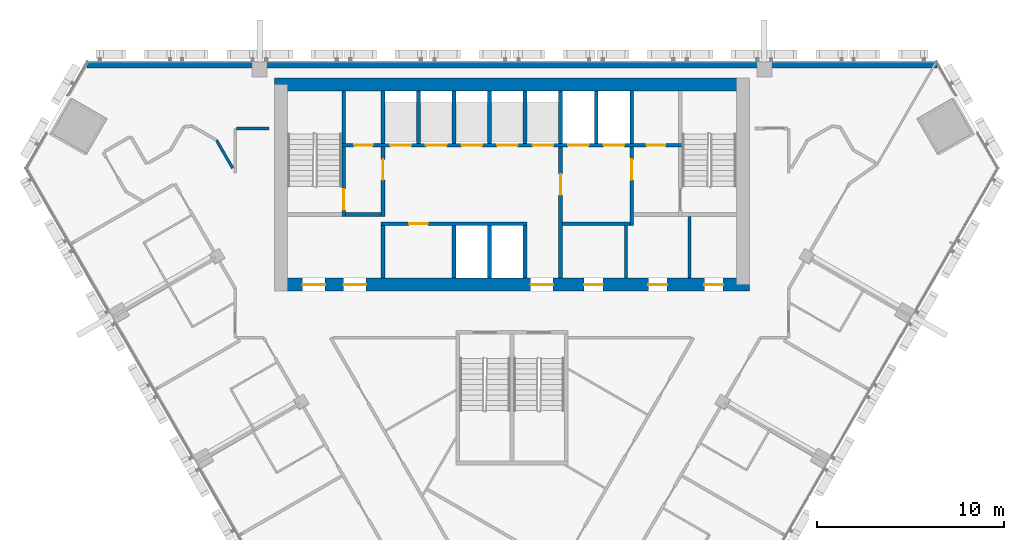
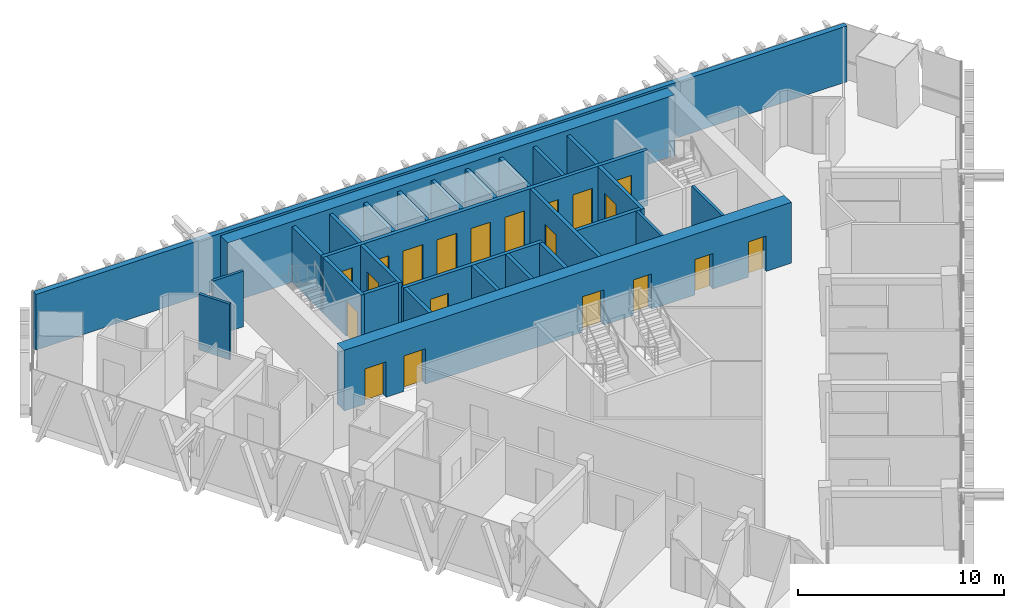
# One storey, part 10 of 15: 28 walls, 20 doors, 20 openings.
"""IFC4 building model written with IfcOpenShell, lengths in metres."""

from ifc_helpers import new_model, si_unit, direction, frame, frame_2d, origin, place, context, subcontext, project, spatial, rectangle, extrude, material, layer, layer_set, type_object, element, fill, save


model = new_model("IFC4")

# Units and contexts
model_context = context("Model", 3, precision=1e-05, world=origin(), true_north=direction((0.0, 1.0)))
body_context = subcontext(model_context, "Body", "Model", "MODEL_VIEW")
ifc_project = project(units=[si_unit("LENGTHUNIT", "METRE"), si_unit("AREAUNIT", "SQUARE_METRE"), si_unit("VOLUMEUNIT", "CUBIC_METRE"), si_unit("PLANEANGLEUNIT", "RADIAN"), si_unit("MASSUNIT", "GRAM", prefix="KILO")], contexts=[model_context])

# Site, building, storey
site_placement = place(None, origin())
site = spatial("IfcSite", under=ifc_project, at=site_placement, CompositionType="ELEMENT")
building_placement = place(site_placement, origin())
building = spatial("IfcBuilding", under=site, at=building_placement, Name="Altiplano Prism Tower", CompositionType="ELEMENT")
storey_placement = place(building_placement, frame((0.0, 0.0, 185.39990234375)))
storey = spatial("IfcBuildingStorey", under=building, at=storey_placement, Name="L48", CompositionType="ELEMENT", Elevation=185.39990234375)

# Wall, openings, doors
ifc_material_1 = material(Name="Concrete C60/75", Category="concrete")
ifc_layer_1 = layer(ifc_material_1, 0.699951171875)
ifc_layer_set_1 = layer_set([ifc_layer_1], Name="Concrete C60/75")
wall_type_1 = type_object("IfcWallType", Name="Core wall 700", PredefinedType="SHEAR", material=ifc_layer_set_1)
wall_1_placement = place(storey_placement, frame((72.64990234375, 93.050048828125, 0.0), z_axis=(0.0, 0.0, 1.0), x_axis=(1.0, 0.0, 0.0)))
wall_1 = element("IfcWall", 1, at=wall_1_placement, inside=storey, type_object=wall_type_1, Name="Core wall S L48", PredefinedType="SHEAR", context=body_context, shape_type="SweptSolid", body=[
    extrude(rectangle(XDim=25.050048828125, YDim=0.699951171875, at=frame_2d((12.52490234375, 0.0))), origin(), (0.0, 0.0, 1.0), 3.60009765625),
])
opening_1_placement = place(wall_1_placement, frame((1.14990234375, 0.0, 0.0)))
opening_1 = element("IfcOpeningElement", 2, at=opening_1_placement, cuts=wall_1, Name="Opening D3246", PredefinedType="OPENING", context=body_context, shape_type="SweptSolid", body=[
    extrude(rectangle(XDim=1.199951171875, YDim=2.10009765625, at=frame_2d((0.60009765625, 1.050048828125))), frame((0.0, 0.3603515625, 0.0), z_axis=(0.0, -1.0, 0.0), x_axis=(1.0, 0.0, 0.0)), (0.0, 0.0, 1.0), 0.720947265625),
])
opening_2_placement = place(wall_1_placement, frame((3.35009765625, 0.0, 0.0)))
opening_2 = element("IfcOpeningElement", 3, at=opening_2_placement, cuts=wall_1, Name="Opening D3247", PredefinedType="OPENING", context=body_context, shape_type="SweptSolid", body=[
    extrude(rectangle(XDim=1.199951171875, YDim=2.10009765625, at=frame_2d((0.60009765625, 1.050048828125))), frame((0.0, 0.3603515625, 0.0), z_axis=(0.0, -1.0, 0.0), x_axis=(1.0, 0.0, 0.0)), (0.0, 0.0, 1.0), 0.720947265625),
])
opening_3_placement = place(wall_1_placement, frame((13.35009765625, 0.0, 0.0)))
opening_3 = element("IfcOpeningElement", 4, at=opening_3_placement, cuts=wall_1, Name="Opening D3248", PredefinedType="OPENING", context=body_context, shape_type="SweptSolid", body=[
    extrude(rectangle(XDim=1.199951171875, YDim=2.10009765625, at=frame_2d((0.60009765625, 1.050048828125))), frame((0.0, 0.3603515625, 0.0), z_axis=(0.0, -1.0, 0.0), x_axis=(1.0, 0.0, 0.0)), (0.0, 0.0, 1.0), 0.720947265625),
])
opening_4_placement = place(wall_1_placement, frame((16.21240234375, 0.0, 0.0)))
opening_4 = element("IfcOpeningElement", 5, at=opening_4_placement, cuts=wall_1, Name="Opening D3251", PredefinedType="OPENING", context=body_context, shape_type="SweptSolid", body=[
    extrude(rectangle(XDim=1.0, YDim=2.10009765625, at=frame_2d((0.5, 1.050048828125))), frame((0.0, 0.3603515625, 0.0), z_axis=(0.0, -1.0, 0.0), x_axis=(1.0, 0.0, 0.0)), (0.0, 0.0, 1.0), 0.720947265625),
])
opening_5_placement = place(wall_1_placement, frame((19.64990234375, 0.0, 0.0)))
opening_5 = element("IfcOpeningElement", 6, at=opening_5_placement, cuts=wall_1, Name="Opening D3252", PredefinedType="OPENING", context=body_context, shape_type="SweptSolid", body=[
    extrude(rectangle(XDim=1.0, YDim=2.10009765625, at=frame_2d((0.5, 1.050048828125))), frame((0.0, 0.3603515625, 0.0), z_axis=(0.0, -1.0, 0.0), x_axis=(1.0, 0.0, 0.0)), (0.0, 0.0, 1.0), 0.720947265625),
])
opening_6_placement = place(wall_1_placement, frame((22.637451171875, 0.0, 0.0)))
opening_6 = element("IfcOpeningElement", 7, at=opening_6_placement, cuts=wall_1, Name="Opening D3253", PredefinedType="OPENING", context=body_context, shape_type="SweptSolid", body=[
    extrude(rectangle(XDim=1.0, YDim=2.10009765625, at=frame_2d((0.5, 1.050048828125))), frame((0.0, 0.3603515625, 0.0), z_axis=(0.0, -1.0, 0.0), x_axis=(1.0, 0.0, 0.0)), (0.0, 0.0, 1.0), 0.720947265625),
])
ifc_material_2 = material(Name="Fire-rated steel door", Category="steel")
door_type_1 = type_object("IfcDoorType", Name="Core room door 1000 x 2100", OperationType="NOTDEFINED", PredefinedType="NOTDEFINED", material=ifc_material_2)
door_1_placement = place(opening_4_placement, origin())
door_1 = element("IfcDoor", 8, at=door_1_placement, inside=storey, type_object=door_type_1, Name="Core room door D3251", OperationType="SINGLE_SWING_RIGHT", OverallHeight=2.10009765625, OverallWidth=1.0, PredefinedType="NOTDEFINED", context=body_context, shape_type="SweptSolid", body=[
    extrude(rectangle(XDim=1.0, YDim=2.10009765625, at=frame_2d((0.5, 1.050048828125))), frame((0.0, 0.02490234375, 0.0), z_axis=(0.0, -1.0, 0.0), x_axis=(1.0, 0.0, 0.0)), (0.0, 0.0, 1.0), 0.050048828125),
])
fill(opening_4, door_1)
door_2_placement = place(opening_5_placement, origin())
door_2 = element("IfcDoor", 9, at=door_2_placement, inside=storey, type_object=door_type_1, Name="Core room door D3252", OperationType="SINGLE_SWING_LEFT", OverallHeight=2.10009765625, OverallWidth=1.0, PredefinedType="NOTDEFINED", context=body_context, shape_type="SweptSolid", body=[
    extrude(rectangle(XDim=1.0, YDim=2.10009765625, at=frame_2d((0.5, 1.050048828125))), frame((0.0, 0.02490234375, 0.0), z_axis=(0.0, -1.0, 0.0), x_axis=(1.0, 0.0, 0.0)), (0.0, 0.0, 1.0), 0.050048828125),
])
fill(opening_5, door_2)
door_3_placement = place(opening_6_placement, origin())
door_3 = element("IfcDoor", 10, at=door_3_placement, inside=storey, type_object=door_type_1, Name="Core room door D3253", OperationType="SINGLE_SWING_RIGHT", OverallHeight=2.10009765625, OverallWidth=1.0, PredefinedType="NOTDEFINED", context=body_context, shape_type="SweptSolid", body=[
    extrude(rectangle(XDim=1.0, YDim=2.10009765625, at=frame_2d((0.5, 1.050048828125))), frame((0.0, 0.02490234375, 0.0), z_axis=(0.0, -1.0, 0.0), x_axis=(1.0, 0.0, 0.0)), (0.0, 0.0, 1.0), 0.050048828125),
])
fill(opening_6, door_3)
door_type_2 = type_object("IfcDoorType", Name="Lobby fire door 1200 x 2100", OperationType="NOTDEFINED", PredefinedType="NOTDEFINED", material=ifc_material_2)
door_4_placement = place(opening_1_placement, origin())
door_4 = element("IfcDoor", 11, at=door_4_placement, inside=storey, type_object=door_type_2, Name="Lobby fire door D3246", OperationType="SINGLE_SWING_RIGHT", OverallHeight=2.10009765625, OverallWidth=1.199951171875, PredefinedType="NOTDEFINED", context=body_context, shape_type="SweptSolid", body=[
    extrude(rectangle(XDim=1.199951171875, YDim=2.10009765625, at=frame_2d((0.60009765625, 1.050048828125))), frame((0.0, 0.02490234375, 0.0), z_axis=(0.0, -1.0, 0.0), x_axis=(1.0, 0.0, 0.0)), (0.0, 0.0, 1.0), 0.050048828125),
])
fill(opening_1, door_4)
door_5_placement = place(opening_2_placement, origin())
door_5 = element("IfcDoor", 12, at=door_5_placement, inside=storey, type_object=door_type_2, Name="Lobby fire door D3247", OperationType="SINGLE_SWING_LEFT", OverallHeight=2.10009765625, OverallWidth=1.199951171875, PredefinedType="NOTDEFINED", context=body_context, shape_type="SweptSolid", body=[
    extrude(rectangle(XDim=1.199951171875, YDim=2.10009765625, at=frame_2d((0.60009765625, 1.050048828125))), frame((0.0, 0.02490234375, 0.0), z_axis=(0.0, -1.0, 0.0), x_axis=(1.0, 0.0, 0.0)), (0.0, 0.0, 1.0), 0.050048828125),
])
fill(opening_2, door_5)
door_6_placement = place(opening_3_placement, origin())
door_6 = element("IfcDoor", 13, at=door_6_placement, inside=storey, type_object=door_type_2, Name="Lobby fire door D3248", OperationType="SINGLE_SWING_RIGHT", OverallHeight=2.10009765625, OverallWidth=1.199951171875, PredefinedType="NOTDEFINED", context=body_context, shape_type="SweptSolid", body=[
    extrude(rectangle(XDim=1.199951171875, YDim=2.10009765625, at=frame_2d((0.60009765625, 1.050048828125))), frame((0.0, 0.02490234375, 0.0), z_axis=(0.0, -1.0, 0.0), x_axis=(1.0, 0.0, 0.0)), (0.0, 0.0, 1.0), 0.050048828125),
])
fill(opening_3, door_6)

# Walls
wall_2_placement = place(storey_placement, frame((97.35009765625, 103.75, 0.0), z_axis=(0.0, 0.0, 1.0), x_axis=(-1.0, 0.0, 0.0)))
element("IfcWall", 14, at=wall_2_placement, inside=storey, type_object=wall_type_1, Name="Core wall N L48", PredefinedType="SHEAR", context=body_context, shape_type="SweptSolid", body=[
    extrude(rectangle(XDim=25.050048828125, YDim=0.699951171875, at=frame_2d((12.52490234375, 0.0))), origin(), (0.0, 0.0, 1.0), 3.60009765625),
])
ifc_material_3 = material(Name="Plasterboard on steel stud", Category="steel")
ifc_layer_2 = layer(ifc_material_3, 0.14990234375)
ifc_layer_set_2 = layer_set([ifc_layer_2], Name="Plasterboard on steel stud")
wall_type_2 = type_object("IfcWallType", Name="Partition 150 corridor", PredefinedType="PARTITIONING", material=ifc_layer_set_2)
wall_3_placement = place(storey_placement, frame((72.0, 101.39990234375, 0.0), z_axis=(0.0, 0.0, 1.0), x_axis=(-1.0, 0.0, 0.0)))
element("IfcWall", 15, at=wall_3_placement, inside=storey, type_object=wall_type_2, Name="Partition P06 L48 022", PredefinedType="PARTITIONING", context=body_context, shape_type="SweptSolid", body=[
    extrude(rectangle(XDim=1.72509765625, YDim=0.14990234375, at=frame_2d((0.862548828125, 0.0))), origin(), (0.0, 0.0, 1.0), 3.300048828125),
])
wall_4_placement = place(storey_placement, frame((70.06005859375, 99.268798828125, 0.0), z_axis=(0.0, 0.0, 1.0), x_axis=(-0.500063959222, 0.865988473761, 0.0)))
element("IfcWall", 16, at=wall_4_placement, inside=storey, type_object=wall_type_2, Name="Partition P06 L48 024", PredefinedType="PARTITIONING", context=body_context, shape_type="SweptSolid", body=[
    extrude(rectangle(XDim=1.732666015625, YDim=0.14990234375, at=frame_2d((0.8662109375, 0.0))), origin(), (0.0, 0.0, 1.0), 3.300048828125),
])
ifc_material_4 = material(Name="Fire-rated gypsum board partition")
ifc_layer_3 = layer(ifc_material_4, 0.14990234375)
ifc_layer_set_3 = layer_set([ifc_layer_3], Name="Fire-rated gypsum board partition")
wall_type_3 = type_object("IfcWallType", Name="Room partition 150", PredefinedType="PARTITIONING", material=ifc_layer_set_3)
wall_5_placement = place(storey_placement, frame((91.10009765625, 93.39990234375, 0.0), z_axis=(0.0, 0.0, 1.0), x_axis=(0.0, 1.0, 0.0)))
element("IfcWall", 17, at=wall_5_placement, inside=storey, type_object=wall_type_3, Name="Room partition L48", PredefinedType="PARTITIONING", context=body_context, shape_type="SweptSolid", body=[
    extrude(rectangle(XDim=2.800048828125, YDim=0.14990234375, at=frame_2d((1.39990234375, 0.0))), origin(), (0.0, 0.0, 1.0), 3.300048828125),
])
wall_6_placement = place(storey_placement, frame((94.5, 93.39990234375, 0.0), z_axis=(0.0, 0.0, 1.0), x_axis=(0.0, 1.0, 0.0)))
element("IfcWall", 18, at=wall_6_placement, inside=storey, type_object=wall_type_3, Name="Room partition L48", PredefinedType="PARTITIONING", context=body_context, shape_type="SweptSolid", body=[
    extrude(rectangle(XDim=3.300048828125, YDim=0.14990234375, at=frame_2d((1.64990234375, 0.0))), origin(), (0.0, 0.0, 1.0), 3.300048828125),
])
ifc_layer_4 = layer(ifc_material_1, 0.199951171875)
ifc_layer_set_4 = layer_set([ifc_layer_4], Name="Concrete C60/75")
wall_type_4 = type_object("IfcWallType", Name="Shaft wall 200", PredefinedType="SOLIDWALL", material=ifc_layer_set_4)
for number, where, z_axis, x_axis, name in (
    (19, (81.89990234375, 93.39990234375, 0.0), (0.0, 0.0, 1.0), (0.0, 1.0, 0.0), "Shaft wall L48"),
    (20, (83.800048828125, 93.39990234375, 0.0), (0.0, 0.0, 1.0), (0.0, 1.0, 0.0), "Shaft wall L48"),
    (21, (85.699951171875, 93.39990234375, 0.0), (0.0, 0.0, 1.0), (0.0, 1.0, 0.0), "Shaft wall L48"),
):
    element("IfcWall", number, at=place(storey_placement, frame(where, z_axis=z_axis, x_axis=x_axis)), inside=storey, type_object=wall_type_4, Name=name, PredefinedType="SOLIDWALL", context=body_context, shape_type="SweptSolid", body=[
        extrude(rectangle(XDim=2.800048828125, YDim=0.199951171875, at=frame_2d((1.39990234375, 0.0))), origin(), (0.0, 0.0, 1.0), 3.300048828125),
    ])

# Wall, opening, door
wall_7_placement = place(storey_placement, frame((78.0, 96.300048828125, 0.0), z_axis=(0.0, 0.0, 1.0), x_axis=(1.0, 0.0, 0.0)))
wall_7 = element("IfcWall", 22, at=wall_7_placement, inside=storey, type_object=wall_type_4, Name="Shaft wall L48", PredefinedType="SOLIDWALL", context=body_context, shape_type="SweptSolid", body=[
    extrude(rectangle(XDim=7.800048828125, YDim=0.199951171875, at=frame_2d((3.89990234375, 0.0))), origin(), (0.0, 0.0, 1.0), 3.300048828125),
])
opening_7_placement = place(wall_7_placement, frame((1.5, 0.0, 0.0)))
opening_7 = element("IfcOpeningElement", 23, at=opening_7_placement, cuts=wall_7, Name="Opening D3254", PredefinedType="OPENING", context=body_context, shape_type="SweptSolid", body=[
    extrude(rectangle(XDim=1.0, YDim=2.10009765625, at=frame_2d((0.5, 1.050048828125))), frame((0.0, 0.1103515625, 0.0), z_axis=(0.0, -1.0, 0.0), x_axis=(1.0, 0.0, 0.0)), (0.0, 0.0, 1.0), 0.220947265625),
])
door_7_placement = place(opening_7_placement, origin())
door_7 = element("IfcDoor", 24, at=door_7_placement, inside=storey, type_object=door_type_1, Name="Core room door D3254", OperationType="SINGLE_SWING_RIGHT", OverallHeight=2.10009765625, OverallWidth=1.0, PredefinedType="NOTDEFINED", context=body_context, shape_type="SweptSolid", body=[
    extrude(rectangle(XDim=1.0, YDim=2.10009765625, at=frame_2d((0.5, 1.050048828125))), frame((0.0, 0.02490234375, 0.0), z_axis=(0.0, -1.0, 0.0), x_axis=(1.0, 0.0, 0.0)), (0.0, 0.0, 1.0), 0.050048828125),
])
fill(opening_7, door_7)

# Walls
for number, where, z_axis, x_axis, name in (
    (25, (78.10009765625, 100.60009765625, 0.0), (0.0, 0.0, 1.0), (0.0, 1.0, 0.0), "Shaft wall L48"),
    (26, (80.0, 100.60009765625, 0.0), (0.0, 0.0, 1.0), (0.0, 1.0, 0.0), "Shaft wall L48"),
    (27, (81.89990234375, 100.60009765625, 0.0), (0.0, 0.0, 1.0), (0.0, 1.0, 0.0), "Shaft wall L48"),
    (28, (83.800048828125, 100.60009765625, 0.0), (0.0, 0.0, 1.0), (0.0, 1.0, 0.0), "Shaft wall L48"),
    (29, (85.699951171875, 100.60009765625, 0.0), (0.0, 0.0, 1.0), (0.0, 1.0, 0.0), "Shaft wall L48"),
    (30, (87.60009765625, 100.60009765625, 0.0), (0.0, 0.0, 1.0), (0.0, 1.0, 0.0), "Shaft wall L48"),
    (31, (89.5, 100.60009765625, 0.0), (0.0, 0.0, 1.0), (0.0, 1.0, 0.0), "Shaft wall L48"),
    (32, (91.39990234375, 100.60009765625, 0.0), (0.0, 0.0, 1.0), (0.0, 1.0, 0.0), "Shaft wall L48"),
):
    element("IfcWall", number, at=place(storey_placement, frame(where, z_axis=z_axis, x_axis=x_axis)), inside=storey, type_object=wall_type_4, Name=name, PredefinedType="SOLIDWALL", context=body_context, shape_type="SweptSolid", body=[
        extrude(rectangle(XDim=2.7998046875, YDim=0.199951171875, at=frame_2d((1.39990234375, 0.0))), origin(), (0.0, 0.0, 1.0), 3.300048828125),
    ])

# Wall, opening, door
ifc_layer_5 = layer(ifc_material_1, 0.199951171875)
ifc_layer_set_5 = layer_set([ifc_layer_5], Name="Concrete C60/75")
wall_type_5 = type_object("IfcWallType", Name="Stair wall 200", PredefinedType="SOLIDWALL", material=ifc_layer_set_5)
wall_8_placement = place(storey_placement, frame((76.0, 96.699951171875, 0.0), z_axis=(0.0, 0.0, 1.0), x_axis=(0.0, 1.0, 0.0)))
wall_8 = element("IfcWall", 33, at=wall_8_placement, inside=storey, type_object=wall_type_5, Name="Stair wall L48", PredefinedType="SOLIDWALL", context=body_context, shape_type="SweptSolid", body=[
    extrude(rectangle(XDim=3.699951171875, YDim=0.199951171875, at=frame_2d((1.85009765625, 0.0))), origin(), (0.0, 0.0, 1.0), 3.300048828125),
])
opening_8_placement = place(wall_8_placement, frame((0.35009765625, 0.0, 0.0)))
opening_8 = element("IfcOpeningElement", 34, at=opening_8_placement, cuts=wall_8, Name="Opening D3241", PredefinedType="OPENING", context=body_context, shape_type="SweptSolid", body=[
    extrude(rectangle(XDim=1.10009765625, YDim=2.10009765625, at=frame_2d((0.550048828125, 1.050048828125))), frame((0.0, 0.1103515625, 0.0), z_axis=(0.0, -1.0, 0.0), x_axis=(1.0, 0.0, 0.0)), (0.0, 0.0, 1.0), 0.220947265625),
])
door_type_3 = type_object("IfcDoorType", Name="Stair fire door 1100 x 2100", OperationType="NOTDEFINED", PredefinedType="NOTDEFINED", material=ifc_material_2)
door_8_placement = place(opening_8_placement, origin())
door_8 = element("IfcDoor", 35, at=door_8_placement, inside=storey, type_object=door_type_3, Name="Stair fire door D3241", OperationType="SINGLE_SWING_RIGHT", OverallHeight=2.10009765625, OverallWidth=1.10009765625, PredefinedType="NOTDEFINED", context=body_context, shape_type="SweptSolid", body=[
    extrude(rectangle(XDim=1.10009765625, YDim=2.10009765625, at=frame_2d((0.550048828125, 1.050048828125))), frame((0.0, 0.02490234375, 0.0), z_axis=(0.0, -1.0, 0.0), x_axis=(1.0, 0.0, 0.0)), (0.0, 0.0, 1.0), 0.050048828125),
])
fill(opening_8, door_8)

# Wall, openings, doors
wall_9_placement = place(storey_placement, frame((75.89990234375, 100.5, 0.0), z_axis=(0.0, 0.0, 1.0), x_axis=(1.0, 0.0, 0.0)))
wall_9 = element("IfcWall", 36, at=wall_9_placement, inside=storey, type_object=wall_type_5, Name="Stair wall L48", PredefinedType="SOLIDWALL", context=body_context, shape_type="SweptSolid", body=[
    extrude(rectangle(XDim=18.2001953125, YDim=0.199951171875, at=frame_2d((9.10009765625, 0.0))), origin(), (0.0, 0.0, 1.0), 3.300048828125),
])
opening_9_placement = place(wall_9_placement, frame((2.60009765625, 0.0, 0.0)))
opening_9 = element("IfcOpeningElement", 37, at=opening_9_placement, cuts=wall_9, Name="Opening LD-ML1-L48", PredefinedType="OPENING", context=body_context, shape_type="SweptSolid", body=[
    extrude(rectangle(XDim=1.10009765625, YDim=2.10009765625, at=frame_2d((0.550048828125, 1.050048828125))), frame((0.0, 0.1103515625, 0.0), z_axis=(0.0, -1.0, 0.0), x_axis=(1.0, 0.0, 0.0)), (0.0, 0.0, 1.0), 0.220947265625),
])
opening_10_placement = place(wall_9_placement, frame((4.5, 0.0, 0.0)))
opening_10 = element("IfcOpeningElement", 38, at=opening_10_placement, cuts=wall_9, Name="Opening LD-ML2-L48", PredefinedType="OPENING", context=body_context, shape_type="SweptSolid", body=[
    extrude(rectangle(XDim=1.10009765625, YDim=2.10009765625, at=frame_2d((0.550048828125, 1.050048828125))), frame((0.0, 0.1103515625, 0.0), z_axis=(0.0, -1.0, 0.0), x_axis=(1.0, 0.0, 0.0)), (0.0, 0.0, 1.0), 0.220947265625),
])
opening_11_placement = place(wall_9_placement, frame((6.39990234375, 0.0, 0.0)))
opening_11 = element("IfcOpeningElement", 39, at=opening_11_placement, cuts=wall_9, Name="Opening LD-ML3-L48", PredefinedType="OPENING", context=body_context, shape_type="SweptSolid", body=[
    extrude(rectangle(XDim=1.10009765625, YDim=2.10009765625, at=frame_2d((0.550048828125, 1.050048828125))), frame((0.0, 0.1103515625, 0.0), z_axis=(0.0, -1.0, 0.0), x_axis=(1.0, 0.0, 0.0)), (0.0, 0.0, 1.0), 0.220947265625),
])
opening_12_placement = place(wall_9_placement, frame((8.300048828125, 0.0, 0.0)))
opening_12 = element("IfcOpeningElement", 40, at=opening_12_placement, cuts=wall_9, Name="Opening LD-ML4-L48", PredefinedType="OPENING", context=body_context, shape_type="SweptSolid", body=[
    extrude(rectangle(XDim=1.10009765625, YDim=2.10009765625, at=frame_2d((0.550048828125, 1.050048828125))), frame((0.0, 0.1103515625, 0.0), z_axis=(0.0, -1.0, 0.0), x_axis=(1.0, 0.0, 0.0)), (0.0, 0.0, 1.0), 0.220947265625),
])
opening_13_placement = place(wall_9_placement, frame((10.199951171875, 0.0, 0.0)))
opening_13 = element("IfcOpeningElement", 41, at=opening_13_placement, cuts=wall_9, Name="Opening LD-ML5-L48", PredefinedType="OPENING", context=body_context, shape_type="SweptSolid", body=[
    extrude(rectangle(XDim=1.10009765625, YDim=2.10009765625, at=frame_2d((0.550048828125, 1.050048828125))), frame((0.0, 0.1103515625, 0.0), z_axis=(0.0, -1.0, 0.0), x_axis=(1.0, 0.0, 0.0)), (0.0, 0.0, 1.0), 0.220947265625),
])
opening_14_placement = place(wall_9_placement, frame((12.10009765625, 0.0, 0.0)))
opening_14 = element("IfcOpeningElement", 42, at=opening_14_placement, cuts=wall_9, Name="Opening LD-FF1-L48", PredefinedType="OPENING", context=body_context, shape_type="SweptSolid", body=[
    extrude(rectangle(XDim=1.10009765625, YDim=2.10009765625, at=frame_2d((0.550048828125, 1.050048828125))), frame((0.0, 0.1103515625, 0.0), z_axis=(0.0, -1.0, 0.0), x_axis=(1.0, 0.0, 0.0)), (0.0, 0.0, 1.0), 0.220947265625),
])
opening_15_placement = place(wall_9_placement, frame((14.0, 0.0, 0.0)))
opening_15 = element("IfcOpeningElement", 43, at=opening_15_placement, cuts=wall_9, Name="Opening LD-FF2-L48", PredefinedType="OPENING", context=body_context, shape_type="SweptSolid", body=[
    extrude(rectangle(XDim=1.10009765625, YDim=2.10009765625, at=frame_2d((0.550048828125, 1.050048828125))), frame((0.0, 0.1103515625, 0.0), z_axis=(0.0, -1.0, 0.0), x_axis=(1.0, 0.0, 0.0)), (0.0, 0.0, 1.0), 0.220947265625),
])
opening_16_placement = place(wall_9_placement, frame((0.64990234375, 0.0, 0.0)))
opening_16 = element("IfcOpeningElement", 44, at=opening_16_placement, cuts=wall_9, Name="Opening D3249", PredefinedType="OPENING", context=body_context, shape_type="SweptSolid", body=[
    extrude(rectangle(XDim=1.0, YDim=2.10009765625, at=frame_2d((0.5, 1.050048828125))), frame((0.0, 0.1103515625, 0.0), z_axis=(0.0, -1.0, 0.0), x_axis=(1.0, 0.0, 0.0)), (0.0, 0.0, 1.0), 0.220947265625),
])
opening_17_placement = place(wall_9_placement, frame((16.300048828125, 0.0, 0.0)))
opening_17 = element("IfcOpeningElement", 45, at=opening_17_placement, cuts=wall_9, Name="Opening D3250", PredefinedType="OPENING", context=body_context, shape_type="SweptSolid", body=[
    extrude(rectangle(XDim=1.0, YDim=2.10009765625, at=frame_2d((0.5, 1.050048828125))), frame((0.0, 0.1103515625, 0.0), z_axis=(0.0, -1.0, 0.0), x_axis=(1.0, 0.0, 0.0)), (0.0, 0.0, 1.0), 0.220947265625),
])
door_9_placement = place(opening_16_placement, origin())
door_9 = element("IfcDoor", 46, at=door_9_placement, inside=storey, type_object=door_type_1, Name="Core room door D3249", OperationType="SINGLE_SWING_LEFT", OverallHeight=2.10009765625, OverallWidth=1.0, PredefinedType="NOTDEFINED", context=body_context, shape_type="SweptSolid", body=[
    extrude(rectangle(XDim=1.0, YDim=2.10009765625, at=frame_2d((0.5, 1.050048828125))), frame((0.0, 0.02490234375, 0.0), z_axis=(0.0, -1.0, 0.0), x_axis=(1.0, 0.0, 0.0)), (0.0, 0.0, 1.0), 0.050048828125),
])
fill(opening_16, door_9)
door_10_placement = place(opening_17_placement, origin())
door_10 = element("IfcDoor", 47, at=door_10_placement, inside=storey, type_object=door_type_1, Name="Core room door D3250", OperationType="SINGLE_SWING_RIGHT", OverallHeight=2.10009765625, OverallWidth=1.0, PredefinedType="NOTDEFINED", context=body_context, shape_type="SweptSolid", body=[
    extrude(rectangle(XDim=1.0, YDim=2.10009765625, at=frame_2d((0.5, 1.050048828125))), frame((0.0, 0.02490234375, 0.0), z_axis=(0.0, -1.0, 0.0), x_axis=(1.0, 0.0, 0.0)), (0.0, 0.0, 1.0), 0.050048828125),
])
fill(opening_17, door_10)
ifc_material_5 = material(Name="Stainless steel landing door", Category="steel")
door_type_4 = type_object("IfcDoorType", Name="Landing door 1100 x 2100", OperationType="NOTDEFINED", PredefinedType="NOTDEFINED", material=ifc_material_5)
door_11_placement = place(opening_9_placement, origin())
door_11 = element("IfcDoor", 48, at=door_11_placement, inside=storey, type_object=door_type_4, Name="Landing doors ML1", OperationType="SLIDING_TO_RIGHT", OverallHeight=2.10009765625, OverallWidth=1.10009765625, PredefinedType="NOTDEFINED", context=body_context, shape_type="SweptSolid", body=[
    extrude(rectangle(XDim=1.10009765625, YDim=2.10009765625, at=frame_2d((0.550048828125, 1.050048828125))), frame((0.0, 0.02490234375, 0.0), z_axis=(0.0, -1.0, 0.0), x_axis=(1.0, 0.0, 0.0)), (0.0, 0.0, 1.0), 0.050048828125),
])
fill(opening_9, door_11)
door_12_placement = place(opening_10_placement, origin())
door_12 = element("IfcDoor", 49, at=door_12_placement, inside=storey, type_object=door_type_4, Name="Landing doors ML2", OperationType="SLIDING_TO_LEFT", OverallHeight=2.10009765625, OverallWidth=1.10009765625, PredefinedType="NOTDEFINED", context=body_context, shape_type="SweptSolid", body=[
    extrude(rectangle(XDim=1.10009765625, YDim=2.10009765625, at=frame_2d((0.550048828125, 1.050048828125))), frame((0.0, 0.02490234375, 0.0), z_axis=(0.0, -1.0, 0.0), x_axis=(1.0, 0.0, 0.0)), (0.0, 0.0, 1.0), 0.050048828125),
])
fill(opening_10, door_12)
door_13_placement = place(opening_11_placement, origin())
door_13 = element("IfcDoor", 50, at=door_13_placement, inside=storey, type_object=door_type_4, Name="Landing doors ML3", OperationType="SLIDING_TO_RIGHT", OverallHeight=2.10009765625, OverallWidth=1.10009765625, PredefinedType="NOTDEFINED", context=body_context, shape_type="SweptSolid", body=[
    extrude(rectangle(XDim=1.10009765625, YDim=2.10009765625, at=frame_2d((0.550048828125, 1.050048828125))), frame((0.0, 0.02490234375, 0.0), z_axis=(0.0, -1.0, 0.0), x_axis=(1.0, 0.0, 0.0)), (0.0, 0.0, 1.0), 0.050048828125),
])
fill(opening_11, door_13)
door_14_placement = place(opening_12_placement, origin())
door_14 = element("IfcDoor", 51, at=door_14_placement, inside=storey, type_object=door_type_4, Name="Landing doors ML4", OperationType="SLIDING_TO_LEFT", OverallHeight=2.10009765625, OverallWidth=1.10009765625, PredefinedType="NOTDEFINED", context=body_context, shape_type="SweptSolid", body=[
    extrude(rectangle(XDim=1.10009765625, YDim=2.10009765625, at=frame_2d((0.550048828125, 1.050048828125))), frame((0.0, 0.02490234375, 0.0), z_axis=(0.0, -1.0, 0.0), x_axis=(1.0, 0.0, 0.0)), (0.0, 0.0, 1.0), 0.050048828125),
])
fill(opening_12, door_14)
door_15_placement = place(opening_13_placement, origin())
door_15 = element("IfcDoor", 52, at=door_15_placement, inside=storey, type_object=door_type_4, Name="Landing doors ML5", OperationType="SLIDING_TO_RIGHT", OverallHeight=2.10009765625, OverallWidth=1.10009765625, PredefinedType="NOTDEFINED", context=body_context, shape_type="SweptSolid", body=[
    extrude(rectangle(XDim=1.10009765625, YDim=2.10009765625, at=frame_2d((0.550048828125, 1.050048828125))), frame((0.0, 0.02490234375, 0.0), z_axis=(0.0, -1.0, 0.0), x_axis=(1.0, 0.0, 0.0)), (0.0, 0.0, 1.0), 0.050048828125),
])
fill(opening_13, door_15)
door_16_placement = place(opening_14_placement, origin())
door_16 = element("IfcDoor", 53, at=door_16_placement, inside=storey, type_object=door_type_4, Name="Landing doors FF1", OperationType="SLIDING_TO_RIGHT", OverallHeight=2.10009765625, OverallWidth=1.10009765625, PredefinedType="NOTDEFINED", context=body_context, shape_type="SweptSolid", body=[
    extrude(rectangle(XDim=1.10009765625, YDim=2.10009765625, at=frame_2d((0.550048828125, 1.050048828125))), frame((0.0, 0.02490234375, 0.0), z_axis=(0.0, -1.0, 0.0), x_axis=(1.0, 0.0, 0.0)), (0.0, 0.0, 1.0), 0.050048828125),
])
fill(opening_14, door_16)
door_17_placement = place(opening_15_placement, origin())
door_17 = element("IfcDoor", 54, at=door_17_placement, inside=storey, type_object=door_type_4, Name="Landing doors FF2", OperationType="SLIDING_TO_LEFT", OverallHeight=2.10009765625, OverallWidth=1.10009765625, PredefinedType="NOTDEFINED", context=body_context, shape_type="SweptSolid", body=[
    extrude(rectangle(XDim=1.10009765625, YDim=2.10009765625, at=frame_2d((0.550048828125, 1.050048828125))), frame((0.0, 0.02490234375, 0.0), z_axis=(0.0, -1.0, 0.0), x_axis=(1.0, 0.0, 0.0)), (0.0, 0.0, 1.0), 0.050048828125),
])
fill(opening_15, door_17)

# Walls
wall_10_placement = place(storey_placement, frame((76.0, 100.60009765625, 0.0), z_axis=(0.0, 0.0, 1.0), x_axis=(0.0, 1.0, 0.0)))
element("IfcWall", 55, at=wall_10_placement, inside=storey, type_object=wall_type_5, Name="Stair wall L48", PredefinedType="SOLIDWALL", context=body_context, shape_type="SweptSolid", body=[
    extrude(rectangle(XDim=2.7998046875, YDim=0.199951171875, at=frame_2d((1.39990234375, 0.0))), origin(), (0.0, 0.0, 1.0), 3.300048828125),
])
ifc_material_6 = material(Name="Concrete C40", Category="concrete")
ifc_layer_6 = layer(ifc_material_6, 0.300048828125)
ifc_layer_set_6 = layer_set([ifc_layer_6], Name="Concrete C40")
wall_type_6 = type_object("IfcWallType", Name="Stone-clad external wall 300", PredefinedType="SOLIDWALL", material=ifc_layer_set_6)
wall_11_placement = place(storey_placement, frame((62.279296875, 104.7900390625, 0.0), z_axis=(0.0, 0.0, 1.0), x_axis=(1.0, 0.0, 0.0)))
element("IfcWall", 56, at=wall_11_placement, inside=storey, type_object=wall_type_6, Name="External wall north face L48", PredefinedType="SOLIDWALL", context=body_context, shape_type="SweptSolid", body=[
    extrude(rectangle(XDim=45.44140625, YDim=0.300048828125, at=frame_2d((22.720703125, 0.0))), origin(), (0.0, 0.0, 1.0), 3.300048828125),
])
ifc_layer_7 = layer(ifc_material_1, 0.199951171875)
ifc_layer_set_7 = layer_set([ifc_layer_7], Name="Concrete C60/75")
wall_type_7 = type_object("IfcWallType", Name="Vestibule wall 200", PredefinedType="PARTITIONING", material=ifc_layer_set_7)
wall_12_placement = place(storey_placement, frame((78.10009765625, 93.39990234375, 0.0), z_axis=(0.0, 0.0, 1.0), x_axis=(0.0, 1.0, 0.0)))
element("IfcWall", 57, at=wall_12_placement, inside=storey, type_object=wall_type_7, Name="Vestibule wall L48", PredefinedType="PARTITIONING", context=body_context, shape_type="SweptSolid", body=[
    extrude(rectangle(XDim=2.800048828125, YDim=0.199951171875, at=frame_2d((1.39990234375, 0.0))), origin(), (0.0, 0.0, 1.0), 3.300048828125),
])

# Wall, opening, door
wall_13_placement = place(storey_placement, frame((87.60009765625, 93.39990234375, 0.0), z_axis=(0.0, 0.0, 1.0), x_axis=(0.0, 1.0, 0.0)))
wall_13 = element("IfcWall", 58, at=wall_13_placement, inside=storey, type_object=wall_type_7, Name="Vestibule wall L48", PredefinedType="PARTITIONING", context=body_context, shape_type="SweptSolid", body=[
    extrude(rectangle(XDim=7.0, YDim=0.199951171875, at=frame_2d((3.5, 0.0))), origin(), (0.0, 0.0, 1.0), 3.300048828125),
])
opening_18_placement = place(wall_13_placement, frame((4.449951171875, 0.0, 0.0)))
opening_18 = element("IfcOpeningElement", 59, at=opening_18_placement, cuts=wall_13, Name="Opening D3244", PredefinedType="OPENING", context=body_context, shape_type="SweptSolid", body=[
    extrude(rectangle(XDim=1.10009765625, YDim=2.10009765625, at=frame_2d((0.550048828125, 1.050048828125))), frame((0.0, 0.1103515625, 0.0), z_axis=(0.0, -1.0, 0.0), x_axis=(1.0, 0.0, 0.0)), (0.0, 0.0, 1.0), 0.220947265625),
])
door_type_5 = type_object("IfcDoorType", Name="Vestibule fire door 1100 x 2100", OperationType="NOTDEFINED", PredefinedType="NOTDEFINED", material=ifc_material_2)
door_18_placement = place(opening_18_placement, origin())
door_18 = element("IfcDoor", 60, at=door_18_placement, inside=storey, type_object=door_type_5, Name="Vestibule fire door D3244", OperationType="SINGLE_SWING_RIGHT", OverallHeight=2.10009765625, OverallWidth=1.10009765625, PredefinedType="NOTDEFINED", context=body_context, shape_type="SweptSolid", body=[
    extrude(rectangle(XDim=1.10009765625, YDim=2.10009765625, at=frame_2d((0.550048828125, 1.050048828125))), frame((0.0, 0.02490234375, 0.0), z_axis=(0.0, -1.0, 0.0), x_axis=(1.0, 0.0, 0.0)), (0.0, 0.0, 1.0), 0.050048828125),
])
fill(opening_18, door_18)

# Wall
wall_14_placement = place(storey_placement, frame((87.699951171875, 96.300048828125, 0.0), z_axis=(0.0, 0.0, 1.0), x_axis=(1.0, 0.0, 0.0)))
element("IfcWall", 61, at=wall_14_placement, inside=storey, type_object=wall_type_7, Name="Vestibule wall L48", PredefinedType="PARTITIONING", context=body_context, shape_type="SweptSolid", body=[
    extrude(rectangle(XDim=3.60009765625, YDim=0.199951171875, at=frame_2d((1.800048828125, 0.0))), origin(), (0.0, 0.0, 1.0), 3.300048828125),
])

# Wall, opening, door
wall_15_placement = place(storey_placement, frame((91.39990234375, 96.199951171875, 0.0), z_axis=(0.0, 0.0, 1.0), x_axis=(0.0, 1.0, 0.0)))
wall_15 = element("IfcWall", 62, at=wall_15_placement, inside=storey, type_object=wall_type_7, Name="Vestibule wall L48", PredefinedType="PARTITIONING", context=body_context, shape_type="SweptSolid", body=[
    extrude(rectangle(XDim=4.199951171875, YDim=0.199951171875, at=frame_2d((2.10009765625, 0.0))), origin(), (0.0, 0.0, 1.0), 3.300048828125),
])
opening_19_placement = place(wall_15_placement, frame((2.449951171875, 0.0, 0.0)))
opening_19 = element("IfcOpeningElement", 63, at=opening_19_placement, cuts=wall_15, Name="Opening D3245", PredefinedType="OPENING", context=body_context, shape_type="SweptSolid", body=[
    extrude(rectangle(XDim=1.10009765625, YDim=2.10009765625, at=frame_2d((0.550048828125, 1.050048828125))), frame((0.0, 0.1103515625, 0.0), z_axis=(0.0, -1.0, 0.0), x_axis=(1.0, 0.0, 0.0)), (0.0, 0.0, 1.0), 0.220947265625),
])
door_19_placement = place(opening_19_placement, origin())
door_19 = element("IfcDoor", 64, at=door_19_placement, inside=storey, type_object=door_type_5, Name="Vestibule fire door D3245", OperationType="SINGLE_SWING_LEFT", OverallHeight=2.10009765625, OverallWidth=1.10009765625, PredefinedType="NOTDEFINED", context=body_context, shape_type="SweptSolid", body=[
    extrude(rectangle(XDim=1.10009765625, YDim=2.10009765625, at=frame_2d((0.550048828125, 1.050048828125))), frame((0.0, 0.02490234375, 0.0), z_axis=(0.0, -1.0, 0.0), x_axis=(1.0, 0.0, 0.0)), (0.0, 0.0, 1.0), 0.050048828125),
])
fill(opening_19, door_19)

# Wall
wall_16_placement = place(storey_placement, frame((76.10009765625, 96.800048828125, 0.0), z_axis=(0.0, 0.0, 1.0), x_axis=(1.0, 0.0, 0.0)))
element("IfcWall", 65, at=wall_16_placement, inside=storey, type_object=wall_type_7, Name="Vestibule wall L48", PredefinedType="PARTITIONING", context=body_context, shape_type="SweptSolid", body=[
    extrude(rectangle(XDim=1.89990234375, YDim=0.199951171875, at=frame_2d((0.949951171875, 0.0))), origin(), (0.0, 0.0, 1.0), 3.300048828125),
])

# Wall, opening, door
wall_17_placement = place(storey_placement, frame((78.10009765625, 96.699951171875, 0.0), z_axis=(0.0, 0.0, 1.0), x_axis=(0.0, 1.0, 0.0)))
wall_17 = element("IfcWall", 66, at=wall_17_placement, inside=storey, type_object=wall_type_7, Name="Vestibule wall L48", PredefinedType="PARTITIONING", context=body_context, shape_type="SweptSolid", body=[
    extrude(rectangle(XDim=3.699951171875, YDim=0.199951171875, at=frame_2d((1.85009765625, 0.0))), origin(), (0.0, 0.0, 1.0), 3.300048828125),
])
opening_20_placement = place(wall_17_placement, frame((1.949951171875, 0.0, 0.0)))
opening_20 = element("IfcOpeningElement", 67, at=opening_20_placement, cuts=wall_17, Name="Opening D3243", PredefinedType="OPENING", context=body_context, shape_type="SweptSolid", body=[
    extrude(rectangle(XDim=1.10009765625, YDim=2.10009765625, at=frame_2d((0.550048828125, 1.050048828125))), frame((0.0, 0.1103515625, 0.0), z_axis=(0.0, -1.0, 0.0), x_axis=(1.0, 0.0, 0.0)), (0.0, 0.0, 1.0), 0.220947265625),
])
door_20_placement = place(opening_20_placement, origin())
door_20 = element("IfcDoor", 68, at=door_20_placement, inside=storey, type_object=door_type_5, Name="Vestibule fire door D3243", OperationType="SINGLE_SWING_LEFT", OverallHeight=2.10009765625, OverallWidth=1.10009765625, PredefinedType="NOTDEFINED", context=body_context, shape_type="SweptSolid", body=[
    extrude(rectangle(XDim=1.10009765625, YDim=2.10009765625, at=frame_2d((0.550048828125, 1.050048828125))), frame((0.0, 0.02490234375, 0.0), z_axis=(0.0, -1.0, 0.0), x_axis=(1.0, 0.0, 0.0)), (0.0, 0.0, 1.0), 0.050048828125),
])
fill(opening_20, door_20)

save(model, "model.ifc")
